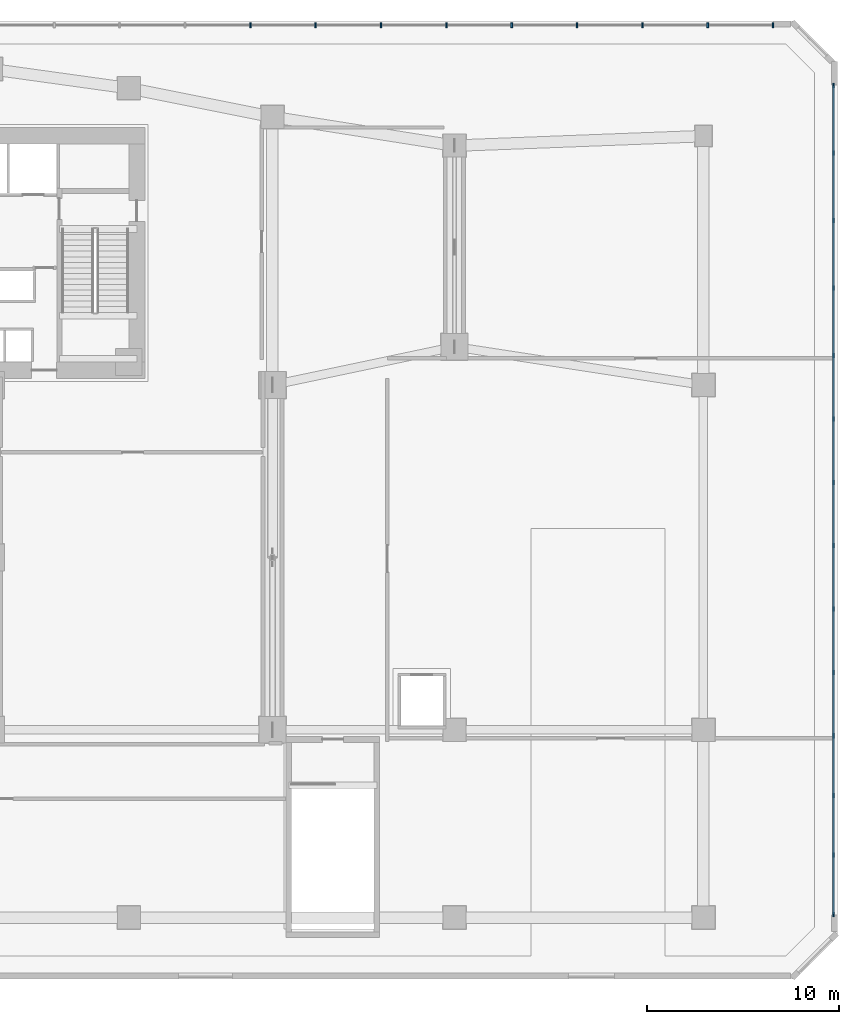
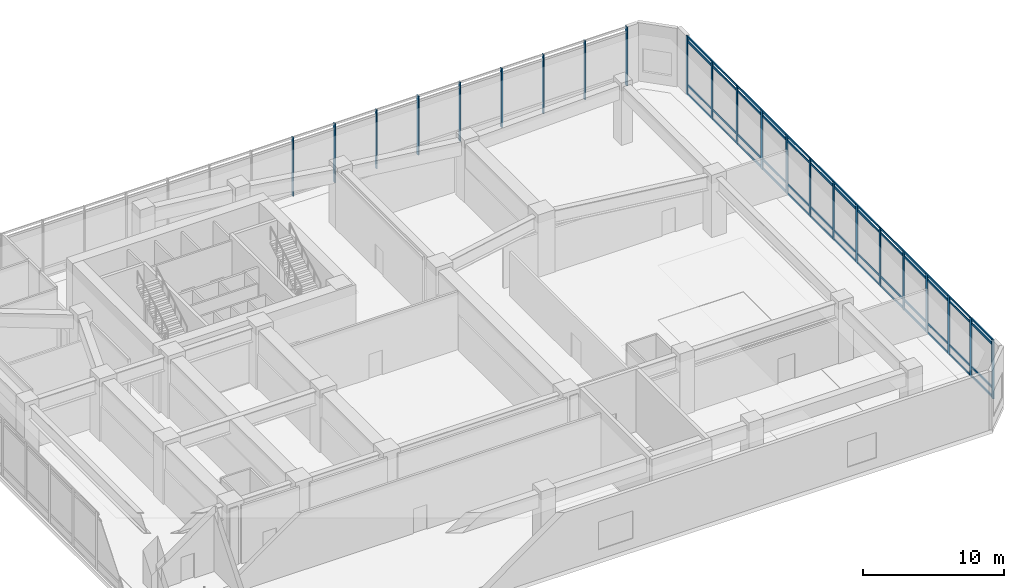
# One storey, part 10 of 21: 27 members, 2 elements without a shape of their own.
"""IFC4 building model written with IfcOpenShell, lengths in metres."""

from ifc_helpers import new_model, si_unit, direction, frame, origin, origin_2d, place, context, subcontext, project, spatial, rectangle, extrude, source, transform, mapped, material, material_profile, profile_set, type_object, element, aggregate, save


model = new_model("IFC4")

# Units and contexts
model_context = context("Model", 3, precision=1e-05, world=origin(), true_north=direction((0.0, 1.0)))
body_context = subcontext(model_context, "Body", "Model", "MODEL_VIEW")
ifc_project = project(units=[si_unit("LENGTHUNIT", "METRE"), si_unit("AREAUNIT", "SQUARE_METRE"), si_unit("VOLUMEUNIT", "CUBIC_METRE"), si_unit("PLANEANGLEUNIT", "RADIAN"), si_unit("MASSUNIT", "GRAM", prefix="KILO")], contexts=[model_context])

# Site, building, storey
site_placement = place(None, origin())
site = spatial("IfcSite", under=ifc_project, at=site_placement, CompositionType="ELEMENT")
building_placement = place(site_placement, origin())
building = spatial("IfcBuilding", under=site, at=building_placement, Name="Calvemar Wedge Station Tower", CompositionType="ELEMENT")
storey_placement = place(building_placement, frame((0.0, 0.0, 21.60009765625)))
storey = spatial("IfcBuildingStorey", under=building, at=storey_placement, Name="L05", CompositionType="ELEMENT", Elevation=21.60009765625)

# Curtain wall, members
ifc_material = material(Name="Anodised aluminium 6063-T6", Category="aluminium")
curtain_wall_type = type_object("IfcCurtainWallType", Name="CW5", PredefinedType="NOTDEFINED", material=ifc_material)
curtain_wall_1_placement = place(storey_placement, origin())
curtain_wall_1 = element("IfcCurtainWall", 1, at=curtain_wall_1_placement, inside=storey, type_object=curtain_wall_type, Name="Storey L05 CW5 Recessed Unitised Curtain Wall 2", PredefinedType="NOTDEFINED")
ifc_material_profile_1 = material_profile(ifc_material, rectangle(XDim=0.0849609375, YDim=0.169921875, at=origin_2d()), Name="AL-TRN-85x170")
ifc_profile_set_1 = profile_set([ifc_material_profile_1], Name="Anodised aluminium 6063-T6")
member_type_1 = type_object("IfcMemberType", Name="CW5-TRN", PredefinedType="USERDEFINED", material=ifc_profile_set_1)
shared_shape_1 = source(origin(), body_context, "Body", "SweptSolid", [
    extrude(rectangle(XDim=0.0849609375, YDim=0.169921875, at=origin_2d()), origin(), (0.0, 0.0, 1.0), 43.27587890625),
])
member_1_placement = place(storey_placement, frame((67.7900390625, 5.362060546875, 0.059814453125), z_axis=(0.0, 1.0, 0.0), x_axis=(-1.0, 0.0, 0.0)))
member_1 = element("IfcMember", 2, at=member_1_placement, type_object=member_type_1, Name="CW5 transom 1", ObjectType="TRANSOM", PredefinedType="USERDEFINED", context=body_context, shape_type="MappedRepresentation", body=[
    mapped(shared_shape_1, transform((0.0, 0.0, 0.0), scale=1.0)),
])
member_2_placement = place(storey_placement, frame((67.7900390625, 5.362060546875, 0.849853515625), z_axis=(0.0, 1.0, 0.0), x_axis=(-1.0, 0.0, 0.0)))
member_2 = element("IfcMember", 3, at=member_2_placement, type_object=member_type_1, Name="CW5 transom 2", ObjectType="TRANSOM", PredefinedType="USERDEFINED", context=body_context, shape_type="MappedRepresentation", body=[
    mapped(shared_shape_1, transform((0.0, 0.0, 0.0), scale=1.0)),
])
member_3_placement = place(storey_placement, frame((67.7900390625, 5.362060546875, 4.599853515625), z_axis=(0.0, 1.0, 0.0), x_axis=(-1.0, 0.0, 0.0)))
member_3 = element("IfcMember", 4, at=member_3_placement, type_object=member_type_1, Name="CW5 transom 3", ObjectType="TRANSOM", PredefinedType="USERDEFINED", context=body_context, shape_type="MappedRepresentation", body=[
    mapped(shared_shape_1, transform((0.0, 0.0, 0.0), scale=1.0)),
])
member_4_placement = place(storey_placement, frame((67.7900390625, 5.362060546875, 4.989990234375), z_axis=(0.0, 1.0, 0.0), x_axis=(-1.0, 0.0, 0.0)))
member_4 = element("IfcMember", 5, at=member_4_placement, type_object=member_type_1, Name="CW5 transom 4", ObjectType="TRANSOM", PredefinedType="USERDEFINED", context=body_context, shape_type="MappedRepresentation", body=[
    mapped(shared_shape_1, transform((0.0, 0.0, 0.0), scale=1.0)),
])
ifc_material_profile_2 = material_profile(ifc_material, rectangle(XDim=0.0849609375, YDim=0.239990234375, at=origin_2d()), Name="AL-MUL-85x240")
ifc_profile_set_2 = profile_set([ifc_material_profile_2], Name="Anodised aluminium 6063-T6")
member_type_2 = type_object("IfcMemberType", Name="CW5-MUL", PredefinedType="MULLION", material=ifc_profile_set_2)
shared_shape_2 = source(origin(), body_context, "Body", "SweptSolid", [
    extrude(rectangle(XDim=0.0849609375, YDim=0.239990234375, at=origin_2d()), origin(), (0.0, 0.0, 1.0), 5.099853515625),
])
member_5_placement = place(storey_placement, frame((67.7900390625, 5.362060546875, -0.050048828125), z_axis=(0.0, 0.0, 1.0), x_axis=(1.0, 0.0, 0.0)))
member_5 = element("IfcMember", 6, at=member_5_placement, type_object=member_type_2, Name="CW5 mullion 1", PredefinedType="MULLION", context=body_context, shape_type="MappedRepresentation", body=[
    mapped(shared_shape_2, transform((0.0, 0.0, 0.0), scale=1.0)),
])
member_6_placement = place(storey_placement, frame((67.7900390625, 8.471435546875, -0.050048828125), z_axis=(0.0, 0.0, 1.0), x_axis=(1.0, 0.0, 0.0)))
member_6 = element("IfcMember", 7, at=member_6_placement, type_object=member_type_2, Name="CW5 mullion 2", PredefinedType="MULLION", context=body_context, shape_type="MappedRepresentation", body=[
    mapped(shared_shape_2, transform((0.0, 0.0, 0.0), scale=1.0)),
])
member_7_placement = place(storey_placement, frame((67.7900390625, 11.580810546875, -0.050048828125), z_axis=(0.0, 0.0, 1.0), x_axis=(1.0, 0.0, 0.0)))
member_7 = element("IfcMember", 8, at=member_7_placement, type_object=member_type_2, Name="CW5 mullion 3", PredefinedType="MULLION", context=body_context, shape_type="MappedRepresentation", body=[
    mapped(shared_shape_2, transform((0.0, 0.0, 0.0), scale=1.0)),
])
member_8_placement = place(storey_placement, frame((67.7900390625, 14.68994140625, -0.050048828125), z_axis=(0.0, 0.0, 1.0), x_axis=(1.0, 0.0, 0.0)))
member_8 = element("IfcMember", 9, at=member_8_placement, type_object=member_type_2, Name="CW5 mullion 4", PredefinedType="MULLION", context=body_context, shape_type="MappedRepresentation", body=[
    mapped(shared_shape_2, transform((0.0, 0.0, 0.0), scale=1.0)),
])
member_9_placement = place(storey_placement, frame((67.7900390625, 17.998291015625, -0.050048828125), z_axis=(0.0, 0.0, 1.0), x_axis=(1.0, 0.0, 0.0)))
member_9 = element("IfcMember", 10, at=member_9_placement, type_object=member_type_2, Name="CW5 mullion 5", PredefinedType="MULLION", context=body_context, shape_type="MappedRepresentation", body=[
    mapped(shared_shape_2, transform((0.0, 0.0, 0.0), scale=1.0)),
])
member_10_placement = place(storey_placement, frame((67.7900390625, 21.306640625, -0.050048828125), z_axis=(0.0, 0.0, 1.0), x_axis=(1.0, 0.0, 0.0)))
member_10 = element("IfcMember", 11, at=member_10_placement, type_object=member_type_2, Name="CW5 mullion 6", PredefinedType="MULLION", context=body_context, shape_type="MappedRepresentation", body=[
    mapped(shared_shape_2, transform((0.0, 0.0, 0.0), scale=1.0)),
])
member_11_placement = place(storey_placement, frame((67.7900390625, 24.614990234375, -0.050048828125), z_axis=(0.0, 0.0, 1.0), x_axis=(1.0, 0.0, 0.0)))
member_11 = element("IfcMember", 12, at=member_11_placement, type_object=member_type_2, Name="CW5 mullion 7", PredefinedType="MULLION", context=body_context, shape_type="MappedRepresentation", body=[
    mapped(shared_shape_2, transform((0.0, 0.0, 0.0), scale=1.0)),
])
member_12_placement = place(storey_placement, frame((67.7900390625, 27.92333984375, -0.050048828125), z_axis=(0.0, 0.0, 1.0), x_axis=(1.0, 0.0, 0.0)))
member_12 = element("IfcMember", 13, at=member_12_placement, type_object=member_type_2, Name="CW5 mullion 8", PredefinedType="MULLION", context=body_context, shape_type="MappedRepresentation", body=[
    mapped(shared_shape_2, transform((0.0, 0.0, 0.0), scale=1.0)),
])
member_13_placement = place(storey_placement, frame((67.7900390625, 31.231689453125, -0.050048828125), z_axis=(0.0, 0.0, 1.0), x_axis=(1.0, 0.0, 0.0)))
member_13 = element("IfcMember", 14, at=member_13_placement, type_object=member_type_2, Name="CW5 mullion 9", PredefinedType="MULLION", context=body_context, shape_type="MappedRepresentation", body=[
    mapped(shared_shape_2, transform((0.0, 0.0, 0.0), scale=1.0)),
])
member_14_placement = place(storey_placement, frame((67.7900390625, 34.5400390625, -0.050048828125), z_axis=(0.0, 0.0, 1.0), x_axis=(1.0, 0.0, 0.0)))
member_14 = element("IfcMember", 15, at=member_14_placement, type_object=member_type_2, Name="CW5 mullion 10", PredefinedType="MULLION", context=body_context, shape_type="MappedRepresentation", body=[
    mapped(shared_shape_2, transform((0.0, 0.0, 0.0), scale=1.0)),
])
member_15_placement = place(storey_placement, frame((67.7900390625, 38.064453125, -0.050048828125), z_axis=(0.0, 0.0, 1.0), x_axis=(1.0, 0.0, 0.0)))
member_15 = element("IfcMember", 16, at=member_15_placement, type_object=member_type_2, Name="CW5 mullion 11", PredefinedType="MULLION", context=body_context, shape_type="MappedRepresentation", body=[
    mapped(shared_shape_2, transform((0.0, 0.0, 0.0), scale=1.0)),
])
member_16_placement = place(storey_placement, frame((67.7900390625, 41.5888671875, -0.050048828125), z_axis=(0.0, 0.0, 1.0), x_axis=(1.0, 0.0, 0.0)))
member_16 = element("IfcMember", 17, at=member_16_placement, type_object=member_type_2, Name="CW5 mullion 12", PredefinedType="MULLION", context=body_context, shape_type="MappedRepresentation", body=[
    mapped(shared_shape_2, transform((0.0, 0.0, 0.0), scale=1.0)),
])
member_17_placement = place(storey_placement, frame((67.7900390625, 45.11328125, -0.050048828125), z_axis=(0.0, 0.0, 1.0), x_axis=(1.0, 0.0, 0.0)))
member_17 = element("IfcMember", 18, at=member_17_placement, type_object=member_type_2, Name="CW5 mullion 13", PredefinedType="MULLION", context=body_context, shape_type="MappedRepresentation", body=[
    mapped(shared_shape_2, transform((0.0, 0.0, 0.0), scale=1.0)),
])
member_18_placement = place(storey_placement, frame((67.7900390625, 48.637939453125, -0.050048828125), z_axis=(0.0, 0.0, 1.0), x_axis=(1.0, 0.0, 0.0)))
member_18 = element("IfcMember", 19, at=member_18_placement, type_object=member_type_2, Name="CW5 mullion 14", PredefinedType="MULLION", context=body_context, shape_type="MappedRepresentation", body=[
    mapped(shared_shape_2, transform((0.0, 0.0, 0.0), scale=1.0)),
])
aggregate(curtain_wall_1, [member_5, member_6, member_7, member_8, member_9, member_10, member_11, member_12, member_13, member_14, member_15, member_16, member_17, member_18, member_1, member_2, member_3, member_4])

curtain_wall_2_placement = place(storey_placement, origin())
curtain_wall_2 = element("IfcCurtainWall", 20, at=curtain_wall_2_placement, inside=storey, type_object=curtain_wall_type, Name="Storey L05 CW5 Recessed Unitised Curtain Wall 4", PredefinedType="NOTDEFINED")
member_19_placement = place(storey_placement, frame((64.637939453125, 51.7900390625, -0.050048828125), z_axis=(0.0, 0.0, 1.0), x_axis=(1.0, 0.0, 0.0)))
member_19 = element("IfcMember", 21, at=member_19_placement, type_object=member_type_2, Name="CW5 mullion 1", PredefinedType="MULLION", context=body_context, shape_type="MappedRepresentation", body=[
    mapped(shared_shape_2, transform((0.0, 0.0, 0.0), scale=1.0)),
])
member_20_placement = place(storey_placement, frame((61.22607421875, 51.7900390625, -0.050048828125), z_axis=(0.0, 0.0, 1.0), x_axis=(1.0, 0.0, 0.0)))
member_20 = element("IfcMember", 22, at=member_20_placement, type_object=member_type_2, Name="CW5 mullion 2", PredefinedType="MULLION", context=body_context, shape_type="MappedRepresentation", body=[
    mapped(shared_shape_2, transform((0.0, 0.0, 0.0), scale=1.0)),
])
member_21_placement = place(storey_placement, frame((57.814208984375, 51.7900390625, -0.050048828125), z_axis=(0.0, 0.0, 1.0), x_axis=(1.0, 0.0, 0.0)))
member_21 = element("IfcMember", 23, at=member_21_placement, type_object=member_type_2, Name="CW5 mullion 3", PredefinedType="MULLION", context=body_context, shape_type="MappedRepresentation", body=[
    mapped(shared_shape_2, transform((0.0, 0.0, 0.0), scale=1.0)),
])
member_22_placement = place(storey_placement, frame((54.40234375, 51.7900390625, -0.050048828125), z_axis=(0.0, 0.0, 1.0), x_axis=(1.0, 0.0, 0.0)))
member_22 = element("IfcMember", 24, at=member_22_placement, type_object=member_type_2, Name="CW5 mullion 4", PredefinedType="MULLION", context=body_context, shape_type="MappedRepresentation", body=[
    mapped(shared_shape_2, transform((0.0, 0.0, 0.0), scale=1.0)),
])
member_23_placement = place(storey_placement, frame((50.990478515625, 51.7900390625, -0.050048828125), z_axis=(0.0, 0.0, 1.0), x_axis=(1.0, 0.0, 0.0)))
member_23 = element("IfcMember", 25, at=member_23_placement, type_object=member_type_2, Name="CW5 mullion 5", PredefinedType="MULLION", context=body_context, shape_type="MappedRepresentation", body=[
    mapped(shared_shape_2, transform((0.0, 0.0, 0.0), scale=1.0)),
])
member_24_placement = place(storey_placement, frame((47.57861328125, 51.7900390625, -0.050048828125), z_axis=(0.0, 0.0, 1.0), x_axis=(1.0, 0.0, 0.0)))
member_24 = element("IfcMember", 26, at=member_24_placement, type_object=member_type_2, Name="CW5 mullion 6", PredefinedType="MULLION", context=body_context, shape_type="MappedRepresentation", body=[
    mapped(shared_shape_2, transform((0.0, 0.0, 0.0), scale=1.0)),
])
member_25_placement = place(storey_placement, frame((44.166748046875, 51.7900390625, -0.050048828125), z_axis=(0.0, 0.0, 1.0), x_axis=(1.0, 0.0, 0.0)))
member_25 = element("IfcMember", 27, at=member_25_placement, type_object=member_type_2, Name="CW5 mullion 7", PredefinedType="MULLION", context=body_context, shape_type="MappedRepresentation", body=[
    mapped(shared_shape_2, transform((0.0, 0.0, 0.0), scale=1.0)),
])
member_26_placement = place(storey_placement, frame((40.7548828125, 51.7900390625, -0.050048828125), z_axis=(0.0, 0.0, 1.0), x_axis=(1.0, 0.0, 0.0)))
member_26 = element("IfcMember", 28, at=member_26_placement, type_object=member_type_2, Name="CW5 mullion 8", PredefinedType="MULLION", context=body_context, shape_type="MappedRepresentation", body=[
    mapped(shared_shape_2, transform((0.0, 0.0, 0.0), scale=1.0)),
])
member_27_placement = place(storey_placement, frame((37.343017578125, 51.7900390625, -0.050048828125), z_axis=(0.0, 0.0, 1.0), x_axis=(1.0, 0.0, 0.0)))
member_27 = element("IfcMember", 29, at=member_27_placement, type_object=member_type_2, Name="CW5 mullion 9", PredefinedType="MULLION", context=body_context, shape_type="MappedRepresentation", body=[
    mapped(shared_shape_2, transform((0.0, 0.0, 0.0), scale=1.0)),
])
aggregate(curtain_wall_2, [member_19, member_20, member_21, member_22, member_23, member_24, member_25, member_26, member_27])

save(model, "model.ifc")
